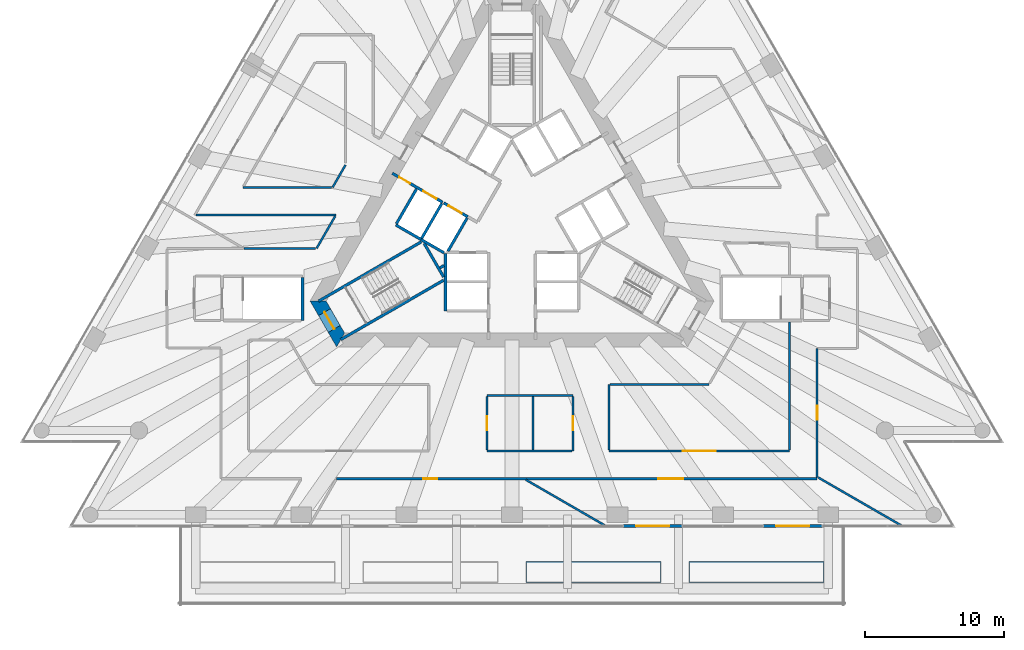
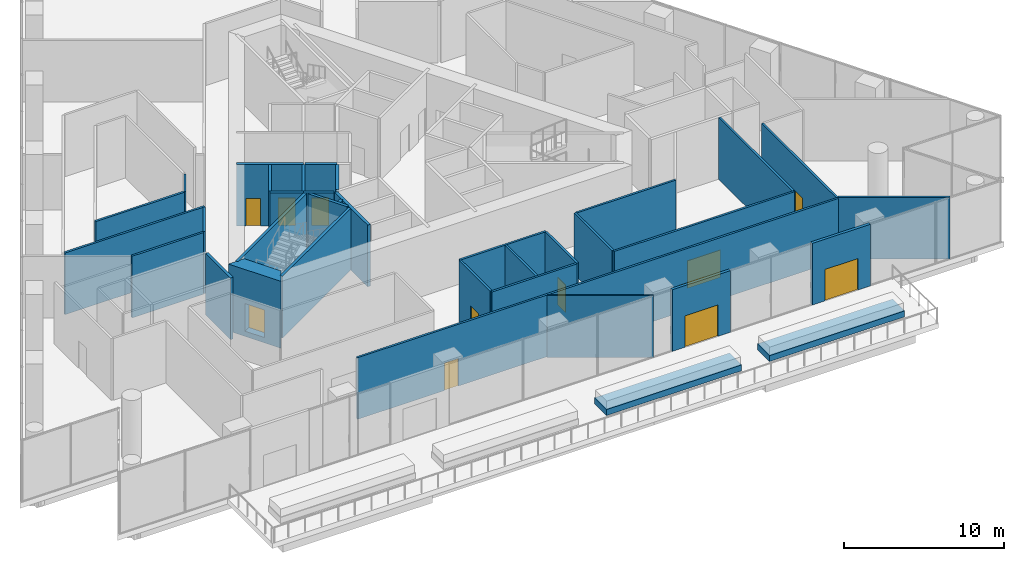
# One storey, part 22 of 28: 36 walls, 12 doors, 12 openings.
"""IFC4 building model written with IfcOpenShell, lengths in metres."""

from ifc_helpers import new_model, si_unit, direction, frame, frame_2d, origin, place, context, subcontext, project, spatial, polyline, rectangle, outline, extrude, material, layer, layer_set, layer_usage, type_object, element, fill, save


model = new_model("IFC4")

# Units and contexts
model_context = context("Model", 3, precision=1e-05, world=origin(), true_north=direction((0.0, 1.0)))
body_context = subcontext(model_context, "Body", "Model", "MODEL_VIEW")
ifc_project = project(units=[si_unit("LENGTHUNIT", "METRE"), si_unit("AREAUNIT", "SQUARE_METRE"), si_unit("VOLUMEUNIT", "CUBIC_METRE"), si_unit("PLANEANGLEUNIT", "RADIAN"), si_unit("MASSUNIT", "GRAM", prefix="KILO")], contexts=[model_context])

# Site, building, storey
site_placement = place(None, origin())
site = spatial("IfcSite", under=ifc_project, at=site_placement, CompositionType="ELEMENT")
building_placement = place(site_placement, origin())
building = spatial("IfcBuilding", under=site, at=building_placement, Name="Triada Interchange Tower", CompositionType="ELEMENT")
storey_placement = place(building_placement, frame((0.0, 0.0, 30.300048828125)))
storey = spatial("IfcBuildingStorey", under=building, at=storey_placement, Name="L05", CompositionType="ELEMENT", Elevation=30.300048828125)

# Walls
ifc_material_1 = material(Name="Concrete C30/37", Category="concrete")
ifc_layer_1 = layer(ifc_material_1, 0.199951171875)
ifc_layer_set_1 = layer_set([ifc_layer_1], Name="CORE WALL 200 EI 120")
wall_type_1 = type_object("IfcWallType", Name="CORE WALL 200 EI 120", PredefinedType="SOLIDWALL", material=ifc_layer_set_1)
wall_1_placement = place(storey_placement, frame((-8.3759765625, -0.70703125, 0.0), z_axis=(0.0, 0.0, 1.0), x_axis=(0.866067520717, -0.499927044236, 0.0)))
element("IfcWall", 1, at=wall_1_placement, inside=storey, type_object=wall_type_1, Name="Wall L05 73", PredefinedType="SOLIDWALL", context=body_context, shape_type="SweptSolid", body=[
    extrude(rectangle(XDim=2.100341796875, YDim=0.199951171875, at=frame_2d((1.05029296875, 0.0))), origin(), (0.0, 0.0, 1.0), 4.699951171875),
])
wall_2_placement = place(storey_placement, frame((-8.325927734375, -0.6201171875, 0.0), z_axis=(0.0, 0.0, 1.0), x_axis=(0.500023687443, 0.866011727401, 0.0)))
element("IfcWall", 2, at=wall_2_placement, inside=storey, type_object=wall_type_1, Name="Wall L05 74", PredefinedType="SOLIDWALL", context=body_context, shape_type="SweptSolid", body=[
    extrude(rectangle(XDim=2.899658203125, YDim=0.199951171875, at=frame_2d((1.44970703125, 0.0))), origin(), (0.0, 0.0, 1.0), 4.699951171875),
])
wall_3_placement = place(storey_placement, frame((-4.800048828125, -6.89990234375, 0.0), z_axis=(0.0, 0.0, 1.0), x_axis=(0.0, 1.0, 0.0)))
element("IfcWall", 3, at=wall_3_placement, inside=storey, type_object=wall_type_1, Name="Wall L05 75", PredefinedType="SOLIDWALL", context=body_context, shape_type="SweptSolid", body=[
    extrude(rectangle(XDim=4.130859375, YDim=0.199951171875, at=frame_2d((2.0654296875, 0.0))), origin(), (0.0, 0.0, 1.0), 4.699951171875),
])

# Wall, openings, doors
ifc_layer_2 = layer(ifc_material_1, 0.199951171875)
ifc_layer_set_2 = layer_set([ifc_layer_2], Name="CORE WALL 200 EI 180")
wall_type_2 = type_object("IfcWallType", Name="CORE WALL 200 EI 180", PredefinedType="SOLIDWALL", material=ifc_layer_set_2)
wall_4_placement = place(storey_placement, frame((-8.626953125, 3.01806640625, 0.0), z_axis=(0.0, 0.0, 1.0), x_axis=(0.866039775641, -0.499975106388, 0.0)))
wall_4 = element("IfcWall", 4, at=wall_4_placement, inside=storey, type_object=wall_type_2, Name="Wall L05 95", PredefinedType="SOLIDWALL", context=body_context, shape_type="SweptSolid", body=[
    extrude(rectangle(XDim=4.182373046875, YDim=0.199951171875, at=frame_2d((2.09130859375, 0.0))), origin(), (0.0, 0.0, 1.0), 4.699951171875),
])
opening_1_placement = place(wall_4_placement, frame((2.580078125, 0.0, 0.0)))
opening_1 = element("IfcOpeningElement", 5, at=opening_1_placement, cuts=wall_4, Name="Opening LD-SV1", PredefinedType="OPENING", context=body_context, shape_type="SweptSolid", body=[
    extrude(rectangle(XDim=1.10009765625, YDim=2.10009765625, at=frame_2d((0.550048828125, 1.050048828125))), frame((0.0, 0.10986328125, 0.0), z_axis=(0.0, -1.0, 0.0), x_axis=(1.0, 0.0, 0.0)), (0.0, 0.0, 1.0), 0.219970703125),
])
opening_2_placement = place(wall_4_placement, frame((0.580078125, 0.0, 0.0)))
opening_2 = element("IfcOpeningElement", 6, at=opening_2_placement, cuts=wall_4, Name="Opening D05-37", PredefinedType="OPENING", context=body_context, shape_type="SweptSolid", body=[
    extrude(rectangle(XDim=0.89990234375, YDim=2.10009765625, at=frame_2d((0.449951171875, 1.050048828125))), frame((0.0, 0.10986328125, 0.0), z_axis=(0.0, -1.0, 0.0), x_axis=(1.0, 0.0, 0.0)), (0.0, 0.0, 1.0), 0.219970703125),
])
ifc_material_2 = material(Name="Steel S235 door leaf", Category="steel")
door_type_1 = type_object("IfcDoorType", Name="LIFT LANDING DOOR 1100 EI 120", OperationType="SLIDING_TO_LEFT", PredefinedType="DOOR", material=ifc_material_2)
door_1_placement = place(opening_1_placement, origin())
door_1 = element("IfcDoor", 7, at=door_1_placement, inside=storey, type_object=door_type_1, Name="SV1 landing door L05", OperationType="SLIDING_TO_LEFT", OverallHeight=2.10009765625, OverallWidth=1.10009765625, PredefinedType="DOOR", context=body_context, shape_type="SweptSolid", body=[
    extrude(rectangle(XDim=1.10009765625, YDim=2.10009765625, at=frame_2d((0.550048828125, 1.050048828125))), frame((0.0, 0.02490234375, 0.0), z_axis=(0.0, -1.0, 0.0), x_axis=(1.0, 0.0, 0.0)), (0.0, 0.0, 1.0), 0.050048828125),
])
fill(opening_1, door_1)
door_type_2 = type_object("IfcDoorType", Name="SERVICE DOOR 900 EI2 45-C5S200", OperationType="NOTDEFINED", PredefinedType="DOOR", material=ifc_material_2)
door_2_placement = place(opening_2_placement, origin())
door_2 = element("IfcDoor", 8, at=door_2_placement, inside=storey, type_object=door_type_2, Name="Door D05-37 L05", OperationType="SINGLE_SWING_LEFT", OverallHeight=2.10009765625, OverallWidth=0.89990234375, PredefinedType="DOOR", context=body_context, shape_type="SweptSolid", body=[
    extrude(rectangle(XDim=0.89990234375, YDim=2.10009765625, at=frame_2d((0.449951171875, 1.050048828125))), frame((0.0, 0.02490234375, 0.0), z_axis=(0.0, -1.0, 0.0), x_axis=(1.0, 0.0, 0.0)), (0.0, 0.0, 1.0), 0.050048828125),
])
fill(opening_2, door_2)

# Walls
wall_5_placement = place(storey_placement, frame((-6.556884765625, -1.757080078125, 0.0), z_axis=(0.0, 0.0, 1.0), x_axis=(0.8659754619, -0.500086491905, 0.0)))
element("IfcWall", 9, at=wall_5_placement, inside=storey, type_object=wall_type_2, Name="Shaft wall FF1 L05 102", PredefinedType="SOLIDWALL", context=body_context, shape_type="SweptSolid", body=[
    extrude(rectangle(XDim=1.915771484375, YDim=0.199951171875, at=frame_2d((0.9580078125, 0.0))), origin(), (0.0, 0.0, 1.0), 4.699951171875),
])
wall_6_placement = place(storey_placement, frame((-6.507080078125, -1.669921875, 0.0), z_axis=(0.0, 0.0, 1.0), x_axis=(0.50012328804, 0.865954211699, 0.0)))
element("IfcWall", 10, at=wall_6_placement, inside=storey, type_object=wall_type_2, Name="Shaft wall FF1 L05 103", PredefinedType="SOLIDWALL", context=body_context, shape_type="SweptSolid", body=[
    extrude(rectangle(XDim=2.899658203125, YDim=0.199951171875, at=frame_2d((1.44970703125, 0.0))), origin(), (0.0, 0.0, 1.0), 4.699951171875),
])

# Wall, opening, door
wall_7_placement = place(storey_placement, frame((-4.919921875, 0.8779296875, 0.0), z_axis=(0.0, 0.0, 1.0), x_axis=(0.866010750942, -0.50002537861, 0.0)))
wall_7 = element("IfcWall", 11, at=wall_7_placement, inside=storey, type_object=wall_type_2, Name="Shaft wall FF1 L05 104", PredefinedType="SOLIDWALL", context=body_context, shape_type="SweptSolid", body=[
    extrude(rectangle(XDim=2.0, YDim=0.199951171875, at=frame_2d((1.0, 0.0))), origin(), (0.0, 0.0, 1.0), 4.699951171875),
])
opening_3_placement = place(wall_7_placement, frame((0.39990234375, 0.0, 0.0)))
opening_3 = element("IfcOpeningElement", 12, at=opening_3_placement, cuts=wall_7, Name="Opening LD-FF1", PredefinedType="OPENING", context=body_context, shape_type="SweptSolid", body=[
    extrude(rectangle(XDim=1.10009765625, YDim=2.10009765625, at=frame_2d((0.550048828125, 1.050048828125))), frame((0.0, 0.10986328125, 0.0), z_axis=(0.0, -1.0, 0.0), x_axis=(1.0, 0.0, 0.0)), (0.0, 0.0, 1.0), 0.219970703125),
])
door_3_placement = place(opening_3_placement, origin())
door_3 = element("IfcDoor", 13, at=door_3_placement, inside=storey, type_object=door_type_1, Name="FF1 landing door L05", OperationType="SLIDING_TO_LEFT", OverallHeight=2.10009765625, OverallWidth=1.10009765625, PredefinedType="DOOR", context=body_context, shape_type="SweptSolid", body=[
    extrude(rectangle(XDim=1.10009765625, YDim=2.10009765625, at=frame_2d((0.550048828125, 1.050048828125))), frame((0.0, 0.02490234375, 0.0), z_axis=(0.0, -1.0, 0.0), x_axis=(1.0, 0.0, 0.0)), (0.0, 0.0, 1.0), 0.050048828125),
])
fill(opening_3, door_3)

# Walls
wall_8_placement = place(storey_placement, frame((-4.618896484375, -2.60009765625, 0.0), z_axis=(0.0, 0.0, 1.0), x_axis=(0.50009492287, 0.865970593103, 0.0)))
element("IfcWall", 14, at=wall_8_placement, inside=storey, type_object=wall_type_2, Name="Shaft wall FF1 L05 105", PredefinedType="SOLIDWALL", context=body_context, shape_type="SweptSolid", body=[
    extrude(rectangle(XDim=2.76123046875, YDim=0.199951171875, at=frame_2d((1.380615234375, 0.0))), origin(), (0.0, 0.0, 1.0), 4.699951171875),
])
ifc_layer_3 = layer(ifc_material_1, 0.199951171875)
ifc_layer_set_3 = layer_set([ifc_layer_3], Name="CORE WALL 200 EI 90")
wall_type_3 = type_object("IfcWallType", Name="CORE WALL 200 EI 90", PredefinedType="SOLIDWALL", material=ifc_layer_set_3)
wall_9_placement = place(storey_placement, frame((-5.195068359375, -3.801025390625, 0.0), z_axis=(0.0, 0.0, 1.0), x_axis=(0.86665063443, 0.498915501706, 0.0)))
element("IfcWall", 15, at=wall_9_placement, inside=storey, type_object=wall_type_3, Name="Wall L05 110", PredefinedType="SOLIDWALL", context=body_context, shape_type="SweptSolid", body=[
    extrude(rectangle(XDim=0.340576171875, YDim=0.199951171875, at=frame_2d((0.17041015625, 0.0))), origin(), (0.0, 0.0, 1.0), 4.699951171875),
])
ifc_layer_4 = layer(ifc_material_1, 0.199951171875)
ifc_layer_set_4 = layer_set([ifc_layer_4], Name="CORE WALL 200 REI 240")
wall_type_4 = type_object("IfcWallType", Name="CORE WALL 200 REI 240", PredefinedType="SOLIDWALL", material=ifc_layer_set_4)
wall_10_placement = place(storey_placement, frame((-13.946044921875, -6.2041015625, 0.0), z_axis=(0.0, 0.0, 1.0), x_axis=(0.866036527536, 0.499980732602, 0.0)))
element("IfcWall", 16, at=wall_10_placement, inside=storey, type_object=wall_type_4, Name="Wall L05 112", PredefinedType="SOLIDWALL", context=body_context, shape_type="SweptSolid", body=[
    extrude(rectangle(XDim=8.564208984375, YDim=0.199951171875, at=frame_2d((4.2822265625, 0.0))), origin(), (0.0, 0.0, 1.0), 4.699951171875),
])
wall_11_placement = place(storey_placement, frame((-6.3291015625, -2.0380859375, 0.0), z_axis=(0.0, 0.0, 1.0), x_axis=(0.500200581029, -0.865909567298, 0.0)))
element("IfcWall", 17, at=wall_11_placement, inside=storey, type_object=wall_type_4, Name="Wall L05 113", PredefinedType="SOLIDWALL", context=body_context, shape_type="SweptSolid", body=[
    extrude(rectangle(XDim=2.799072265625, YDim=0.199951171875, at=frame_2d((1.3994140625, 0.0))), origin(), (0.0, 0.0, 1.0), 4.699951171875),
])
wall_12_placement = place(storey_placement, frame((-12.345947265625, -8.97607421875, 0.0), z_axis=(0.0, 0.0, 1.0), x_axis=(0.865987152174, 0.50006624788, 0.0)))
element("IfcWall", 18, at=wall_12_placement, inside=storey, type_object=wall_type_4, Name="Wall L05 114", PredefinedType="SOLIDWALL", context=body_context, shape_type="SweptSolid", body=[
    extrude(rectangle(XDim=8.564697265625, YDim=0.199951171875, at=frame_2d((4.2822265625, 0.0))), origin(), (0.0, 0.0, 1.0), 4.699951171875),
])
wall_13_placement = place(storey_placement, frame((-15.10009765625, -7.60009765625, 0.0), z_axis=(0.0, 0.0, 1.0), x_axis=(0.0, 1.0, 0.0)))
element("IfcWall", 19, at=wall_13_placement, inside=storey, type_object=wall_type_4, Name="Wall L05 124", PredefinedType="SOLIDWALL", context=body_context, shape_type="SweptSolid", body=[
    extrude(rectangle(XDim=3.10009765625, YDim=0.199951171875, at=frame_2d((1.550048828125, 0.0))), origin(), (0.0, 0.0, 1.0), 4.699951171875),
])

# Wall, opening, door
ifc_material_3 = material(Name="Concrete C70/85", Category="concrete")
ifc_layer_5 = layer(ifc_material_3, 1.0)
ifc_layer_set_5 = layer_set([ifc_layer_5], Name="Core wall P 1000")
wall_type_5 = type_object("IfcWallType", Name="Core wall P 1000", PredefinedType="SHEAR", material=ifc_layer_set_5)
wall_14_placement = place(storey_placement, frame((-13.971923828125, -6.199951171875, -0.400146484375), z_axis=(0.0, 0.0, 1.0), x_axis=(0.500077567175, -0.865980615723, 0.0)))
wall_14 = element("IfcWall", 20, at=wall_14_placement, inside=storey, type_object=wall_type_5, Name="Core wall WP03 L05", PredefinedType="SHEAR", context=body_context, shape_type="SweptSolid", body=[
    extrude(outline(polyline([(-0.2890625, -0.5), (1.616455078125, -0.5), (3.52197265625, -0.5), (2.944091796875, 0.4990234375), (1.61669921875, 0.49951171875), (0.2890625, 0.5), (-0.2890625, -0.5)])), origin(), (0.0, 0.0, 1.0), 5.10009765625),
])
opening_4_placement = place(wall_14_placement, frame((0.9169921875, 0.0, 0.39990234375)))
opening_4 = element("IfcOpeningElement", 21, at=opening_4_placement, cuts=wall_14, Name="Opening D05-34", PredefinedType="OPENING", context=body_context, shape_type="SweptSolid", body=[
    extrude(rectangle(XDim=1.39990234375, YDim=2.10009765625, at=frame_2d((0.699951171875, 1.050048828125))), frame((0.0, 0.510009765625, 0.0), z_axis=(0.0, -1.0, 0.0), x_axis=(1.0, 0.0, 0.0)), (0.0, 0.0, 1.0), 1.02001953125),
])
door_type_3 = type_object("IfcDoorType", Name="STAIR DOOR 1400 EI2 90-C5S200", OperationType="DOUBLE_DOOR_SINGLE_SWING", PredefinedType="DOOR", material=ifc_material_2)
door_4_placement = place(opening_4_placement, origin())
door_4 = element("IfcDoor", 22, at=door_4_placement, inside=storey, type_object=door_type_3, Name="Door D05-34 L05", OperationType="DOUBLE_DOOR_SINGLE_SWING", OverallHeight=2.10009765625, OverallWidth=1.39990234375, PredefinedType="DOOR", context=body_context, shape_type="SweptSolid", body=[
    extrude(rectangle(XDim=1.39990234375, YDim=2.10009765625, at=frame_2d((0.699951171875, 1.050048828125))), frame((0.0, 0.02490234375, 0.0), z_axis=(0.0, -1.0, 0.0), x_axis=(1.0, 0.0, 0.0)), (0.0, 0.0, 1.0), 0.050048828125),
])
fill(opening_4, door_4)

ifc_material_4 = material(Name="Cement board")
ifc_layer_6 = layer(ifc_material_4, 0.02001953125, Name="Cement board cladding")
ifc_material_5 = material(Name="Sheathing board")
ifc_layer_7 = layer(ifc_material_5, 0.014892578125, Name="Sheathing board")
ifc_material_6 = material(Name="Mineral wool")
ifc_layer_8 = layer(ifc_material_6, 0.14990234375, Name="Mineral wool between steel studs")
ifc_material_7 = material(Name="Gypsum board")
ifc_layer_9 = layer(ifc_material_7, 0.014892578125, Name="Plasterboard lining")
ifc_layer_set_6 = layer_set([ifc_layer_6, ifc_layer_7, ifc_layer_8, ifc_layer_9], Name="External wall 200")
ifc_layer_usage = layer_usage(ifc_layer_set_6, "AXIS2", "POSITIVE", -0.10009765625)
wall_type_6 = type_object("IfcWallType", Name="External wall 200", PredefinedType="ELEMENTEDWALL", material=ifc_layer_set_6)
wall_15_placement = place(storey_placement, frame((8.0458984375, -22.39990234375, 0.0), z_axis=(0.0, 0.0, 1.0), x_axis=(1.0, 0.0, 0.0)))
wall_15 = element("IfcWall", 23, at=wall_15_placement, inside=storey, type_object=wall_type_6, material=ifc_layer_usage, Name="External wall L05 00.5", PredefinedType="ELEMENTEDWALL", context=body_context, shape_type="SweptSolid", body=[
    extrude(rectangle(XDim=4.2001953125, YDim=0.199951171875, at=frame_2d((2.10009765625, 0.0))), origin(), (0.0, 0.0, 1.0), 4.699951171875),
])
opening_5_placement = place(wall_15_placement, frame((0.89990234375, 0.0, 0.0)))
opening_5 = element("IfcOpeningElement", 24, at=opening_5_placement, cuts=wall_15, Name="Opening DX57", PredefinedType="OPENING", context=body_context, shape_type="SweptSolid", body=[
    extrude(rectangle(XDim=2.39990234375, YDim=2.39990234375, at=frame_2d((1.199951171875, 1.199951171875))), frame((0.0, 0.10986328125, 0.0), z_axis=(0.0, -1.0, 0.0), x_axis=(1.0, 0.0, 0.0)), (0.0, 0.0, 1.0), 0.219970703125),
])
ifc_material_8 = material(Name="Aluminium and glass", Category="aluminium")
door_type_4 = type_object("IfcDoorType", Name="Terrace door double", OperationType="DOUBLE_DOOR_SINGLE_SWING", PredefinedType="DOOR", material=ifc_material_8)
door_5_placement = place(opening_5_placement, frame((2.39990234375, 0.0, 0.0), z_axis=(0.0, 0.0, 1.0), x_axis=(-1.0, 0.0, 0.0)))
door_5 = element("IfcDoor", 25, at=door_5_placement, inside=storey, type_object=door_type_4, Name="Door DX57 L05", OperationType="DOUBLE_DOOR_SINGLE_SWING", OverallHeight=2.39990234375, OverallWidth=2.39990234375, PredefinedType="DOOR", context=body_context, shape_type="SweptSolid", body=[
    extrude(rectangle(XDim=2.39990234375, YDim=2.39990234375, at=frame_2d((1.199951171875, 1.199951171875))), frame((0.0, 0.02490234375, 0.0), z_axis=(0.0, -1.0, 0.0), x_axis=(1.0, 0.0, 0.0)), (0.0, 0.0, 1.0), 0.050048828125),
])
fill(opening_5, door_5)

wall_16_placement = place(storey_placement, frame((18.136962890625, -22.39990234375, 0.0), z_axis=(0.0, 0.0, 1.0), x_axis=(1.0, 0.0, 0.0)))
wall_16 = element("IfcWall", 26, at=wall_16_placement, inside=storey, type_object=wall_type_6, material=ifc_layer_usage, Name="External wall L05 00.7", PredefinedType="ELEMENTEDWALL", context=body_context, shape_type="SweptSolid", body=[
    extrude(rectangle(XDim=4.199951171875, YDim=0.199951171875, at=frame_2d((2.10009765625, 0.0))), origin(), (0.0, 0.0, 1.0), 4.699951171875),
])
opening_6_placement = place(wall_16_placement, frame((0.89990234375, 0.0, 0.0)))
opening_6 = element("IfcOpeningElement", 27, at=opening_6_placement, cuts=wall_16, Name="Opening DX58", PredefinedType="OPENING", context=body_context, shape_type="SweptSolid", body=[
    extrude(rectangle(XDim=2.39990234375, YDim=2.39990234375, at=frame_2d((1.199951171875, 1.199951171875))), frame((0.0, 0.10986328125, 0.0), z_axis=(0.0, -1.0, 0.0), x_axis=(1.0, 0.0, 0.0)), (0.0, 0.0, 1.0), 0.219970703125),
])
door_6_placement = place(opening_6_placement, frame((2.39990234375, 0.0, 0.0), z_axis=(0.0, 0.0, 1.0), x_axis=(-1.0, 0.0, 0.0)))
door_6 = element("IfcDoor", 28, at=door_6_placement, inside=storey, type_object=door_type_4, Name="Door DX58 L05", OperationType="DOUBLE_DOOR_SINGLE_SWING", OverallHeight=2.39990234375, OverallWidth=2.39990234375, PredefinedType="DOOR", context=body_context, shape_type="SweptSolid", body=[
    extrude(rectangle(XDim=2.39990234375, YDim=2.39990234375, at=frame_2d((1.199951171875, 1.199951171875))), frame((0.0, 0.02490234375, 0.0), z_axis=(0.0, -1.0, 0.0), x_axis=(1.0, 0.0, 0.0)), (0.0, 0.0, 1.0), 0.050048828125),
])
fill(opening_6, door_6)

# Walls
ifc_material_9 = material(Name="Gypsum board partition")
ifc_layer_10 = layer(ifc_material_9, 0.14990234375)
ifc_layer_set_7 = layer_set([ifc_layer_10], Name="PARTITION 150 EI 90")
wall_type_7 = type_object("IfcWallType", Name="PARTITION 150 EI 90", PredefinedType="PARTITIONING", material=ifc_layer_set_7)
wall_17_placement = place(storey_placement, frame((-22.777099609375, 0.0, 0.0), z_axis=(0.0, 0.0, 1.0), x_axis=(1.0, 0.0, 0.0)))
element("IfcWall", 29, at=wall_17_placement, inside=storey, type_object=wall_type_7, Name="Wall L05 11", PredefinedType="PARTITIONING", context=body_context, shape_type="SweptSolid", body=[
    extrude(rectangle(XDim=10.0751953125, YDim=0.14990234375, at=frame_2d((5.03759765625, 0.0))), origin(), (0.0, 0.0, 1.0), 4.699951171875),
])
wall_18_placement = place(storey_placement, frame((-14.0869140625, -2.39990234375, 0.0), z_axis=(0.0, 0.0, 1.0), x_axis=(0.499856297154, 0.866108354766, 0.0)))
element("IfcWall", 30, at=wall_18_placement, inside=storey, type_object=wall_type_7, Name="Wall L05 13", PredefinedType="PARTITIONING", context=body_context, shape_type="SweptSolid", body=[
    extrude(rectangle(XDim=2.684326171875, YDim=0.14990234375, at=frame_2d((1.34228515625, 0.0))), origin(), (0.0, 0.0, 1.0), 4.699951171875),
])
wall_19_placement = place(storey_placement, frame((-19.3330078125, -2.39990234375, 0.0), z_axis=(0.0, 0.0, 1.0), x_axis=(1.0, 0.0, 0.0)))
element("IfcWall", 31, at=wall_19_placement, inside=storey, type_object=wall_type_7, Name="Wall L05 15", PredefinedType="PARTITIONING", context=body_context, shape_type="SweptSolid", body=[
    extrude(rectangle(XDim=5.158935546875, YDim=0.14990234375, at=frame_2d((2.57958984375, 0.0))), origin(), (0.0, 0.0, 1.0), 4.699951171875),
])

# Wall, openings, doors
wall_20_placement = place(storey_placement, frame((-12.64697265625, -19.0, 0.0), z_axis=(0.0, 0.0, 1.0), x_axis=(1.0, 0.0, 0.0)))
wall_20 = element("IfcWall", 32, at=wall_20_placement, inside=storey, type_object=wall_type_7, Name="Wall L05 22", PredefinedType="PARTITIONING", context=body_context, shape_type="SweptSolid", body=[
    extrude(rectangle(XDim=34.64697265625, YDim=0.14990234375, at=frame_2d((17.323486328125, 0.0))), origin(), (0.0, 0.0, 1.0), 4.699951171875),
])
opening_7_placement = place(wall_20_placement, frame((6.256103515625, 0.0, 0.0)))
opening_7 = element("IfcOpeningElement", 33, at=opening_7_placement, cuts=wall_20, Name="Opening D05-27", PredefinedType="OPENING", context=body_context, shape_type="SweptSolid", body=[
    extrude(rectangle(XDim=1.0, YDim=2.10009765625, at=frame_2d((0.5, 1.050048828125))), frame((0.0, 0.0849609375, 0.0), z_axis=(0.0, -1.0, 0.0), x_axis=(1.0, 0.0, 0.0)), (0.0, 0.0, 1.0), 0.169921875),
])
opening_8_placement = place(wall_20_placement, frame((23.178955078125, 0.0, 0.0)))
opening_8 = element("IfcOpeningElement", 34, at=opening_8_placement, cuts=wall_20, Name="Opening D05-28", PredefinedType="OPENING", context=body_context, shape_type="SweptSolid", body=[
    extrude(rectangle(XDim=1.800048828125, YDim=2.10009765625, at=frame_2d((0.89990234375, 1.050048828125))), frame((0.0, 0.0849609375, 0.0), z_axis=(0.0, -1.0, 0.0), x_axis=(1.0, 0.0, 0.0)), (0.0, 0.0, 1.0), 0.169921875),
])
door_type_5 = type_object("IfcDoorType", Name="ROOM DOOR 1000 EI2 45-C5S200", OperationType="NOTDEFINED", PredefinedType="DOOR", material=ifc_material_2)
door_7_placement = place(opening_7_placement, origin())
door_7 = element("IfcDoor", 35, at=door_7_placement, inside=storey, type_object=door_type_5, Name="Door D05-27 L05", OperationType="SINGLE_SWING_LEFT", OverallHeight=2.10009765625, OverallWidth=1.0, PredefinedType="DOOR", context=body_context, shape_type="SweptSolid", body=[
    extrude(rectangle(XDim=1.0, YDim=2.10009765625, at=frame_2d((0.5, 1.050048828125))), frame((0.0, 0.02490234375, 0.0), z_axis=(0.0, -1.0, 0.0), x_axis=(1.0, 0.0, 0.0)), (0.0, 0.0, 1.0), 0.050048828125),
])
fill(opening_7, door_7)
door_type_6 = type_object("IfcDoorType", Name="SHOP AND HALL ENTRANCE DOOR 1800 EI2 90-C5S200", OperationType="DOUBLE_DOOR_SINGLE_SWING", PredefinedType="DOOR", material=ifc_material_2)
door_8_placement = place(opening_8_placement, origin())
door_8 = element("IfcDoor", 36, at=door_8_placement, inside=storey, type_object=door_type_6, Name="Door D05-28 L05", OperationType="DOUBLE_DOOR_SINGLE_SWING", OverallHeight=2.10009765625, OverallWidth=1.800048828125, PredefinedType="DOOR", context=body_context, shape_type="SweptSolid", body=[
    extrude(rectangle(XDim=1.800048828125, YDim=2.10009765625, at=frame_2d((0.89990234375, 1.050048828125))), frame((0.0, 0.02490234375, 0.0), z_axis=(0.0, -1.0, 0.0), x_axis=(1.0, 0.0, 0.0)), (0.0, 0.0, 1.0), 0.050048828125),
])
fill(opening_8, door_8)

# Wall, opening, door
wall_21_placement = place(storey_placement, frame((22.0, -18.925048828125, 0.0), z_axis=(0.0, 0.0, 1.0), x_axis=(0.0, 1.0, 0.0)))
wall_21 = element("IfcWall", 37, at=wall_21_placement, inside=storey, type_object=wall_type_7, Name="Wall L05 33", PredefinedType="PARTITIONING", context=body_context, shape_type="SweptSolid", body=[
    extrude(rectangle(XDim=9.324951171875, YDim=0.14990234375, at=frame_2d((4.66259765625, 0.0))), origin(), (0.0, 0.0, 1.0), 4.699951171875),
])
opening_9_placement = place(wall_21_placement, frame((4.18994140625, 0.0, 0.0)))
opening_9 = element("IfcOpeningElement", 38, at=opening_9_placement, cuts=wall_21, Name="Opening D05-29", PredefinedType="OPENING", context=body_context, shape_type="SweptSolid", body=[
    extrude(rectangle(XDim=1.0, YDim=2.10009765625, at=frame_2d((0.5, 1.050048828125))), frame((0.0, 0.0849609375, 0.0), z_axis=(0.0, -1.0, 0.0), x_axis=(1.0, 0.0, 0.0)), (0.0, 0.0, 1.0), 0.169921875),
])
door_type_7 = type_object("IfcDoorType", Name="ROOM DOOR 1000 EI2 90-C5S200", OperationType="NOTDEFINED", PredefinedType="DOOR", material=ifc_material_2)
door_9_placement = place(opening_9_placement, origin())
door_9 = element("IfcDoor", 39, at=door_9_placement, inside=storey, type_object=door_type_7, Name="Door D05-29 L05", OperationType="SINGLE_SWING_RIGHT", OverallHeight=2.10009765625, OverallWidth=1.0, PredefinedType="DOOR", context=body_context, shape_type="SweptSolid", body=[
    extrude(rectangle(XDim=1.0, YDim=2.10009765625, at=frame_2d((0.5, 1.050048828125))), frame((0.0, 0.02490234375, 0.0), z_axis=(0.0, -1.0, 0.0), x_axis=(1.0, 0.0, 0.0)), (0.0, 0.0, 1.0), 0.050048828125),
])
fill(opening_9, door_9)

# Walls
wall_22_placement = place(storey_placement, frame((0.993896484375, -19.074951171875, 0.0), z_axis=(0.0, 0.0, 1.0), x_axis=(0.866027239912, -0.49999681972, 0.0)))
element("IfcWall", 40, at=wall_22_placement, inside=storey, type_object=wall_type_7, Name="Wall L05 35", PredefinedType="PARTITIONING", context=body_context, shape_type="SweptSolid", body=[
    extrude(rectangle(XDim=6.64990234375, YDim=0.14990234375, at=frame_2d((3.324951171875, 0.0))), origin(), (0.0, 0.0, 1.0), 4.699951171875),
])
wall_23_placement = place(storey_placement, frame((-1.800048828125, -13.0, 0.0), z_axis=(0.0, 0.0, 1.0), x_axis=(1.0, 0.0, 0.0)))
element("IfcWall", 41, at=wall_23_placement, inside=storey, type_object=wall_type_7, Name="Wall L05 36", PredefinedType="PARTITIONING", context=body_context, shape_type="SweptSolid", body=[
    extrude(rectangle(XDim=6.199951171875, YDim=0.14990234375, at=frame_2d((3.10009765625, 0.0))), origin(), (0.0, 0.0, 1.0), 4.699951171875),
])

# Wall, opening, door
wall_24_placement = place(storey_placement, frame((4.39990234375, -17.0, 0.0), z_axis=(0.0, 0.0, 1.0), x_axis=(0.0, 1.0, 0.0)))
wall_24 = element("IfcWall", 42, at=wall_24_placement, inside=storey, type_object=wall_type_7, Name="Wall L05 37", PredefinedType="PARTITIONING", context=body_context, shape_type="SweptSolid", body=[
    extrude(rectangle(XDim=3.925048828125, YDim=0.14990234375, at=frame_2d((1.96240234375, 0.0))), origin(), (0.0, 0.0, 1.0), 4.699951171875),
])
opening_10_placement = place(wall_24_placement, frame((1.5, 0.0, 0.0)))
opening_10 = element("IfcOpeningElement", 43, at=opening_10_placement, cuts=wall_24, Name="Opening D05-17", PredefinedType="OPENING", context=body_context, shape_type="SweptSolid", body=[
    extrude(rectangle(XDim=1.0, YDim=2.10009765625, at=frame_2d((0.5, 1.050048828125))), frame((0.0, 0.0849609375, 0.0), z_axis=(0.0, -1.0, 0.0), x_axis=(1.0, 0.0, 0.0)), (0.0, 0.0, 1.0), 0.169921875),
])
door_10_placement = place(opening_10_placement, origin())
door_10 = element("IfcDoor", 44, at=door_10_placement, inside=storey, type_object=door_type_5, Name="Door D05-17 L05", OperationType="SINGLE_SWING_RIGHT", OverallHeight=2.10009765625, OverallWidth=1.0, PredefinedType="DOOR", context=body_context, shape_type="SweptSolid", body=[
    extrude(rectangle(XDim=1.0, YDim=2.10009765625, at=frame_2d((0.5, 1.050048828125))), frame((0.0, 0.02490234375, 0.0), z_axis=(0.0, -1.0, 0.0), x_axis=(1.0, 0.0, 0.0)), (0.0, 0.0, 1.0), 0.050048828125),
])
fill(opening_10, door_10)

# Wall
wall_25_placement = place(storey_placement, frame((-1.800048828125, -17.0, 0.0), z_axis=(0.0, 0.0, 1.0), x_axis=(1.0, 0.0, 0.0)))
element("IfcWall", 45, at=wall_25_placement, inside=storey, type_object=wall_type_7, Name="Wall L05 39", PredefinedType="PARTITIONING", context=body_context, shape_type="SweptSolid", body=[
    extrude(rectangle(XDim=6.125, YDim=0.14990234375, at=frame_2d((3.0625, 0.0))), origin(), (0.0, 0.0, 1.0), 4.699951171875),
])

# Wall, opening, door
wall_26_placement = place(storey_placement, frame((7.0, -17.0, 0.0), z_axis=(0.0, 0.0, 1.0), x_axis=(1.0, 0.0, 0.0)))
wall_26 = element("IfcWall", 46, at=wall_26_placement, inside=storey, type_object=wall_type_7, Name="Wall L05 40", PredefinedType="PARTITIONING", context=body_context, shape_type="SweptSolid", body=[
    extrude(rectangle(XDim=13.0, YDim=0.14990234375, at=frame_2d((6.5, 0.0))), origin(), (0.0, 0.0, 1.0), 4.699951171875),
])
opening_11_placement = place(wall_26_placement, frame((5.300048828125, 0.0, 0.0)))
opening_11 = element("IfcOpeningElement", 47, at=opening_11_placement, cuts=wall_26, Name="Opening D05-18", PredefinedType="OPENING", context=body_context, shape_type="SweptSolid", body=[
    extrude(rectangle(XDim=2.39990234375, YDim=2.10009765625, at=frame_2d((1.199951171875, 1.050048828125))), frame((0.0, 0.0849609375, 0.0), z_axis=(0.0, -1.0, 0.0), x_axis=(1.0, 0.0, 0.0)), (0.0, 0.0, 1.0), 0.169921875),
])
door_type_8 = type_object("IfcDoorType", Name="SHOP AND HALL ENTRANCE DOOR 2400 EI2 90-C5S200", OperationType="DOUBLE_DOOR_SINGLE_SWING", PredefinedType="DOOR", material=ifc_material_2)
door_11_placement = place(opening_11_placement, origin())
door_11 = element("IfcDoor", 48, at=door_11_placement, inside=storey, type_object=door_type_8, Name="Door D05-18 L05", OperationType="DOUBLE_DOOR_SINGLE_SWING", OverallHeight=2.10009765625, OverallWidth=2.39990234375, PredefinedType="DOOR", context=body_context, shape_type="SweptSolid", body=[
    extrude(rectangle(XDim=2.39990234375, YDim=2.10009765625, at=frame_2d((1.199951171875, 1.050048828125))), frame((0.0, 0.02490234375, 0.0), z_axis=(0.0, -1.0, 0.0), x_axis=(1.0, 0.0, 0.0)), (0.0, 0.0, 1.0), 0.050048828125),
])
fill(opening_11, door_11)

# Wall
wall_27_placement = place(storey_placement, frame((1.5, -16.925048828125, 0.0), z_axis=(0.0, 0.0, 1.0), x_axis=(0.0, 1.0, 0.0)))
element("IfcWall", 49, at=wall_27_placement, inside=storey, type_object=wall_type_7, Name="Wall L05 41", PredefinedType="PARTITIONING", context=body_context, shape_type="SweptSolid", body=[
    extrude(rectangle(XDim=3.85009765625, YDim=0.14990234375, at=frame_2d((1.925048828125, 0.0))), origin(), (0.0, 0.0, 1.0), 4.699951171875),
])

# Wall, opening, door
wall_28_placement = place(storey_placement, frame((-1.800048828125, -16.925048828125, 0.0), z_axis=(0.0, 0.0, 1.0), x_axis=(0.0, 1.0, 0.0)))
wall_28 = element("IfcWall", 50, at=wall_28_placement, inside=storey, type_object=wall_type_7, Name="Wall L05 42", PredefinedType="PARTITIONING", context=body_context, shape_type="SweptSolid", body=[
    extrude(rectangle(XDim=3.85009765625, YDim=0.14990234375, at=frame_2d((1.925048828125, 0.0))), origin(), (0.0, 0.0, 1.0), 4.699951171875),
])
opening_12_placement = place(wall_28_placement, frame((1.425048828125, 0.0, 0.0)))
opening_12 = element("IfcOpeningElement", 51, at=opening_12_placement, cuts=wall_28, Name="Opening D05-16", PredefinedType="OPENING", context=body_context, shape_type="SweptSolid", body=[
    extrude(rectangle(XDim=1.0, YDim=2.10009765625, at=frame_2d((0.5, 1.050048828125))), frame((0.0, 0.0849609375, 0.0), z_axis=(0.0, -1.0, 0.0), x_axis=(1.0, 0.0, 0.0)), (0.0, 0.0, 1.0), 0.169921875),
])
door_12_placement = place(opening_12_placement, origin())
door_12 = element("IfcDoor", 52, at=door_12_placement, inside=storey, type_object=door_type_5, Name="Door D05-16 L05", OperationType="SINGLE_SWING_LEFT", OverallHeight=2.10009765625, OverallWidth=1.0, PredefinedType="DOOR", context=body_context, shape_type="SweptSolid", body=[
    extrude(rectangle(XDim=1.0, YDim=2.10009765625, at=frame_2d((0.5, 1.050048828125))), frame((0.0, 0.02490234375, 0.0), z_axis=(0.0, -1.0, 0.0), x_axis=(1.0, 0.0, 0.0)), (0.0, 0.0, 1.0), 0.050048828125),
])
fill(opening_12, door_12)

# Walls
wall_29_placement = place(storey_placement, frame((20.0, -16.925048828125, 0.0), z_axis=(0.0, 0.0, 1.0), x_axis=(0.0, 1.0, 0.0)))
element("IfcWall", 53, at=wall_29_placement, inside=storey, type_object=wall_type_7, Name="Wall L05 50", PredefinedType="PARTITIONING", context=body_context, shape_type="SweptSolid", body=[
    extrude(rectangle(XDim=9.22509765625, YDim=0.14990234375, at=frame_2d((4.612548828125, 0.0))), origin(), (0.0, 0.0, 1.0), 4.699951171875),
])
wall_30_placement = place(storey_placement, frame((7.0, -16.925048828125, 0.0), z_axis=(0.0, 0.0, 1.0), x_axis=(0.0, 1.0, 0.0)))
element("IfcWall", 54, at=wall_30_placement, inside=storey, type_object=wall_type_7, Name="Wall L05 52", PredefinedType="PARTITIONING", context=body_context, shape_type="SweptSolid", body=[
    extrude(rectangle(XDim=4.72509765625, YDim=0.14990234375, at=frame_2d((2.362548828125, 0.0))), origin(), (0.0, 0.0, 1.0), 4.699951171875),
])
wall_31_placement = place(storey_placement, frame((7.074951171875, -12.199951171875, 0.0), z_axis=(0.0, 0.0, 1.0), x_axis=(1.0, 0.0, 0.0)))
element("IfcWall", 55, at=wall_31_placement, inside=storey, type_object=wall_type_7, Name="Wall L05 54", PredefinedType="PARTITIONING", context=body_context, shape_type="SweptSolid", body=[
    extrude(rectangle(XDim=7.1279296875, YDim=0.14990234375, at=frame_2d((3.56396484375, 0.0))), origin(), (0.0, 0.0, 1.0), 4.699951171875),
])
wall_32_placement = place(storey_placement, frame((22.074951171875, -18.9130859375, 0.0), z_axis=(0.0, 0.0, 1.0), x_axis=(0.866050347742, -0.499956793309, 0.0)))
element("IfcWall", 56, at=wall_32_placement, inside=storey, type_object=wall_type_7, Name="Wall L05 58", PredefinedType="PARTITIONING", context=body_context, shape_type="SweptSolid", body=[
    extrude(rectangle(XDim=6.97412109375, YDim=0.14990234375, at=frame_2d((3.487060546875, 0.0))), origin(), (0.0, 0.0, 1.0), 4.699951171875),
])
wall_33_placement = place(storey_placement, frame((-12.93310546875, 2.0, 0.0), z_axis=(0.0, 0.0, 1.0), x_axis=(0.500277597875, 0.865865073245, 0.0)))
element("IfcWall", 57, at=wall_33_placement, inside=storey, type_object=wall_type_7, Name="Wall L05 60", PredefinedType="PARTITIONING", context=body_context, shape_type="SweptSolid", body=[
    extrude(rectangle(XDim=1.865234375, YDim=0.14990234375, at=frame_2d((0.9326171875, 0.0))), origin(), (0.0, 0.0, 1.0), 4.699951171875),
])
wall_34_placement = place(storey_placement, frame((-19.39892578125, 2.0, 0.0), z_axis=(0.0, 0.0, 1.0), x_axis=(1.0, 0.0, 0.0)))
element("IfcWall", 58, at=wall_34_placement, inside=storey, type_object=wall_type_7, Name="Wall L05 61", PredefinedType="PARTITIONING", context=body_context, shape_type="SweptSolid", body=[
    extrude(rectangle(XDim=6.3798828125, YDim=0.14990234375, at=frame_2d((3.18994140625, 0.0))), origin(), (0.0, 0.0, 1.0), 4.699951171875),
])
ifc_layer_11 = layer(ifc_material_1, 1.5)
ifc_layer_set_8 = layer_set([ifc_layer_11], Name="Planter bed 450")
wall_type_8 = type_object("IfcWallType", Name="Planter bed 450", PredefinedType="STANDARD", material=ifc_layer_set_8)
for number, where, z_axis, x_axis, name in (
    (59, (1.0, -25.72998046875, 0.0), (0.0, 0.0, 1.0), (1.0, 0.0, 0.0), "PLANTER L05 22"),
    (60, (12.75, -25.72998046875, 0.0), (0.0, 0.0, 1.0), (1.0, 0.0, 0.0), "PLANTER L05 23"),
):
    element("IfcWall", number, at=place(storey_placement, frame(where, z_axis=z_axis, x_axis=x_axis)), inside=storey, type_object=wall_type_8, Name=name, PredefinedType="STANDARD", context=body_context, shape_type="SweptSolid", body=[
        extrude(rectangle(XDim=9.75, YDim=1.5, at=frame_2d((4.875, 0.0))), origin(), (0.0, 0.0, 1.0), 0.449951171875),
    ])

save(model, "model.ifc")
